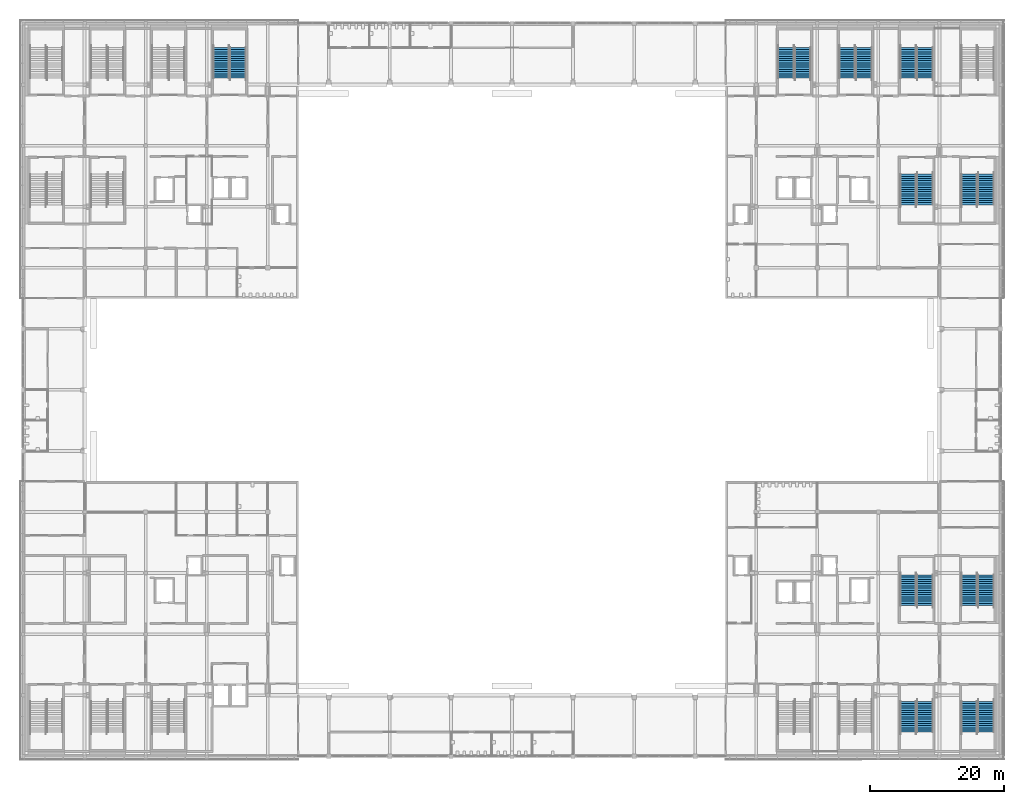
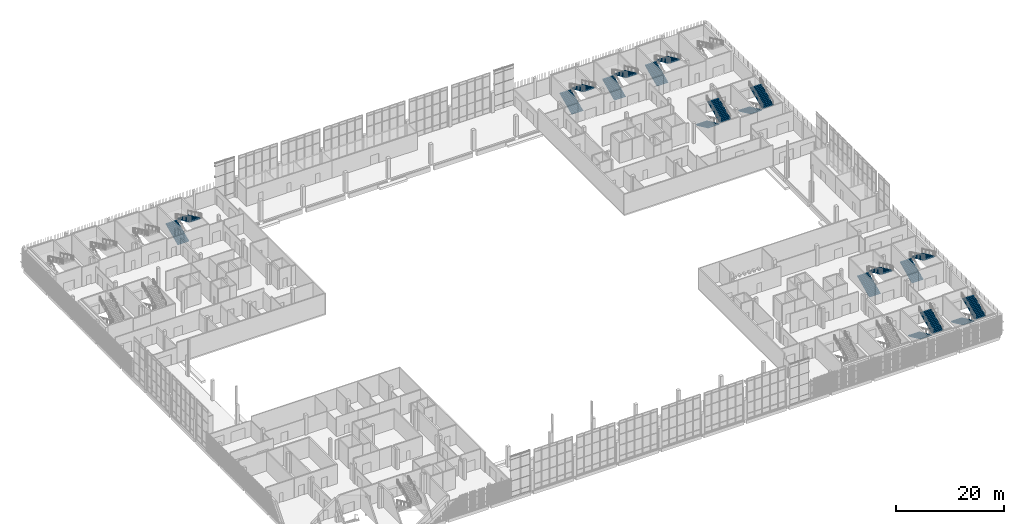
# One storey, part 58 of 91: 20 stair flights, 10 elements without a shape of their own.
"""IFC4 building model written with IfcOpenShell, lengths in metres."""

from ifc_helpers import new_model, si_unit, direction, frame, origin, place, context, subcontext, project, spatial, polyline, outline, extrude, material, type_object, element, aggregate, save


model = new_model("IFC4")

# Units and contexts
model_context = context("Model", 3, precision=1e-05, world=origin(), true_north=direction((0.0, 1.0)))
body_context = subcontext(model_context, "Body", "Model", "MODEL_VIEW")
ifc_project = project(units=[si_unit("LENGTHUNIT", "METRE"), si_unit("AREAUNIT", "SQUARE_METRE"), si_unit("VOLUMEUNIT", "CUBIC_METRE"), si_unit("PLANEANGLEUNIT", "RADIAN"), si_unit("MASSUNIT", "GRAM", prefix="KILO")], contexts=[model_context])

# Site, building, storey
site_placement = place(None, origin())
site = spatial("IfcSite", under=ifc_project, at=site_placement, CompositionType="ELEMENT")
building_placement = place(site_placement, origin())
building = spatial("IfcBuilding", under=site, at=building_placement, Name="Shirokan Park Arena", CompositionType="ELEMENT")
storey_placement = place(building_placement, frame((0.0, 0.0, 24.570068359375)))
storey = spatial("IfcBuildingStorey", under=building, at=storey_placement, Name="L05", CompositionType="ELEMENT", Elevation=24.570068359375)

# Stair, stair flights
ifc_material = material(Name="Concrete C30 precast", Category="concrete")
stair_type = type_object("IfcStairType", Name="Stair 30 risers 152 x 327 2400 wide", PredefinedType="TWO_STRAIGHT_RUN_STAIR", material=ifc_material)
stair_1_placement = place(storey_placement, origin())
stair_1 = element("IfcStair", 1, at=stair_1_placement, inside=storey, type_object=stair_type, Name="Exit Stair 2.A L05 to L06", PredefinedType="TWO_STRAIGHT_RUN_STAIR")
stair_flight_type = type_object("IfcStairFlightType", Name="Stair flight 15 risers 152 x 327 2400 wide", PredefinedType="STRAIGHT", material=ifc_material)
stair_flight_1_placement = place(storey_placement, frame((140.949951171875, 8.14990234375, 0.0), z_axis=(0.0, 0.0, 1.0), x_axis=(0.0, -1.0, 0.0)))
stair_flight_1 = element("IfcStairFlight", 2, at=stair_flight_1_placement, type_object=stair_flight_type, Name="ST04.6 flight 1", NumberOfRisers=15, NumberOfTreads=14, PredefinedType="STRAIGHT", RiserHeight=0.151666667, TreadLength=0.3267, context=body_context, shape_type="SweptSolid", body=[
    extrude(outline(polyline([(0.0, 0.0), (0.0, 0.151611328125), (0.32666015625, 0.151611328125), (0.32666015625, 0.30322265625), (0.6533203125, 0.30322265625), (0.6533203125, 0.455078125), (0.97998046875, 0.455078125), (0.97998046875, 0.606689453125), (1.306884765625, 0.606689453125), (1.306884765625, 0.75830078125), (1.633544921875, 0.75830078125), (1.633544921875, 0.909912109375), (1.960205078125, 0.909912109375), (1.960205078125, 1.061767578125), (2.286865234375, 1.061767578125), (2.286865234375, 1.21337890625), (2.613525390625, 1.21337890625), (2.613525390625, 1.364990234375), (2.940185546875, 1.364990234375), (2.940185546875, 1.5166015625), (3.26708984375, 1.5166015625), (3.26708984375, 1.668212890625), (3.59375, 1.668212890625), (3.59375, 1.820068359375), (3.92041015625, 1.820068359375), (3.92041015625, 1.9716796875), (4.2470703125, 1.9716796875), (4.2470703125, 2.123291015625), (4.57373046875, 2.123291015625), (4.57373046875, 2.27490234375), (4.57373046875, 1.9580078125), (0.35595703125, 0.0), (0.0, 0.0)])), frame((0.0, 1.199951171875, 0.0), z_axis=(0.0, -1.0, 0.0), x_axis=(1.0, 0.0, 0.0)), (0.0, 0.0, 1.0), 2.39990234375),
])
stair_flight_2_placement = place(storey_placement, frame((143.449951171875, 3.576171875, 2.27490234375), z_axis=(0.0, 0.0, 1.0), x_axis=(0.0, 1.0, 0.0)))
stair_flight_2 = element("IfcStairFlight", 3, at=stair_flight_2_placement, type_object=stair_flight_type, Name="ST04.6 flight 2", NumberOfRisers=15, NumberOfTreads=14, PredefinedType="STRAIGHT", RiserHeight=0.151666667, TreadLength=0.3267, context=body_context, shape_type="SweptSolid", body=[
    extrude(outline(polyline([(0.0, 0.0), (0.0, 0.151611328125), (0.32666015625, 0.151611328125), (0.32666015625, 0.30322265625), (0.6533203125, 0.30322265625), (0.6533203125, 0.455078125), (0.97998046875, 0.455078125), (0.97998046875, 0.606689453125), (1.306884765625, 0.606689453125), (1.306884765625, 0.75830078125), (1.633544921875, 0.75830078125), (1.633544921875, 0.909912109375), (1.960205078125, 0.909912109375), (1.960205078125, 1.061767578125), (2.286865234375, 1.061767578125), (2.286865234375, 1.21337890625), (2.613525390625, 1.21337890625), (2.613525390625, 1.364990234375), (2.940185546875, 1.364990234375), (2.940185546875, 1.5166015625), (3.26708984375, 1.5166015625), (3.26708984375, 1.668212890625), (3.59375, 1.668212890625), (3.59375, 1.820068359375), (3.92041015625, 1.820068359375), (3.92041015625, 1.9716796875), (4.2470703125, 1.9716796875), (4.2470703125, 2.123291015625), (4.57373046875, 2.123291015625), (4.57373046875, 2.27490234375), (4.57373046875, 1.9580078125), (0.35595703125, 0.0), (0.0, 0.0)])), frame((0.0, 1.199951171875, 0.0), z_axis=(0.0, -1.0, 0.0), x_axis=(1.0, 0.0, 0.0)), (0.0, 0.0, 1.0), 2.39990234375),
])
aggregate(stair_1, [stair_flight_1, stair_flight_2])

stair_2_placement = place(storey_placement, origin())
stair_2 = element("IfcStair", 4, at=stair_2_placement, inside=storey, type_object=stair_type, Name="Exit Stair 2.B L05 to L06", PredefinedType="TWO_STRAIGHT_RUN_STAIR")
stair_flight_3_placement = place(storey_placement, frame((131.85009765625, 8.14990234375, 0.0), z_axis=(0.0, 0.0, 1.0), x_axis=(0.0, -1.0, 0.0)))
stair_flight_3 = element("IfcStairFlight", 5, at=stair_flight_3_placement, type_object=stair_flight_type, Name="ST05.6 flight 1", NumberOfRisers=15, NumberOfTreads=14, PredefinedType="STRAIGHT", RiserHeight=0.151666667, TreadLength=0.3267, context=body_context, shape_type="SweptSolid", body=[
    extrude(outline(polyline([(0.0, 0.0), (0.0, 0.151611328125), (0.32666015625, 0.151611328125), (0.32666015625, 0.30322265625), (0.6533203125, 0.30322265625), (0.6533203125, 0.455078125), (0.97998046875, 0.455078125), (0.97998046875, 0.606689453125), (1.306884765625, 0.606689453125), (1.306884765625, 0.75830078125), (1.633544921875, 0.75830078125), (1.633544921875, 0.909912109375), (1.960205078125, 0.909912109375), (1.960205078125, 1.061767578125), (2.286865234375, 1.061767578125), (2.286865234375, 1.21337890625), (2.613525390625, 1.21337890625), (2.613525390625, 1.364990234375), (2.940185546875, 1.364990234375), (2.940185546875, 1.5166015625), (3.26708984375, 1.5166015625), (3.26708984375, 1.668212890625), (3.59375, 1.668212890625), (3.59375, 1.820068359375), (3.92041015625, 1.820068359375), (3.92041015625, 1.9716796875), (4.2470703125, 1.9716796875), (4.2470703125, 2.123291015625), (4.57373046875, 2.123291015625), (4.57373046875, 2.27490234375), (4.57373046875, 1.9580078125), (0.35595703125, 0.0), (0.0, 0.0)])), frame((0.0, 1.199951171875, 0.0), z_axis=(0.0, -1.0, 0.0), x_axis=(1.0, 0.0, 0.0)), (0.0, 0.0, 1.0), 2.39990234375),
])
stair_flight_4_placement = place(storey_placement, frame((134.35009765625, 3.576171875, 2.27490234375), z_axis=(0.0, 0.0, 1.0), x_axis=(0.0, 1.0, 0.0)))
stair_flight_4 = element("IfcStairFlight", 6, at=stair_flight_4_placement, type_object=stair_flight_type, Name="ST05.6 flight 2", NumberOfRisers=15, NumberOfTreads=14, PredefinedType="STRAIGHT", RiserHeight=0.151666667, TreadLength=0.3267, context=body_context, shape_type="SweptSolid", body=[
    extrude(outline(polyline([(0.0, 0.0), (0.0, 0.151611328125), (0.32666015625, 0.151611328125), (0.32666015625, 0.30322265625), (0.6533203125, 0.30322265625), (0.6533203125, 0.455078125), (0.97998046875, 0.455078125), (0.97998046875, 0.606689453125), (1.306884765625, 0.606689453125), (1.306884765625, 0.75830078125), (1.633544921875, 0.75830078125), (1.633544921875, 0.909912109375), (1.960205078125, 0.909912109375), (1.960205078125, 1.061767578125), (2.286865234375, 1.061767578125), (2.286865234375, 1.21337890625), (2.613525390625, 1.21337890625), (2.613525390625, 1.364990234375), (2.940185546875, 1.364990234375), (2.940185546875, 1.5166015625), (3.26708984375, 1.5166015625), (3.26708984375, 1.668212890625), (3.59375, 1.668212890625), (3.59375, 1.820068359375), (3.92041015625, 1.820068359375), (3.92041015625, 1.9716796875), (4.2470703125, 1.9716796875), (4.2470703125, 2.123291015625), (4.57373046875, 2.123291015625), (4.57373046875, 2.27490234375), (4.57373046875, 1.9580078125), (0.35595703125, 0.0), (0.0, 0.0)])), frame((0.0, 1.199951171875, 0.0), z_axis=(0.0, -1.0, 0.0), x_axis=(1.0, 0.0, 0.0)), (0.0, 0.0, 1.0), 2.39990234375),
])
aggregate(stair_2, [stair_flight_3, stair_flight_4])

stair_3_placement = place(storey_placement, origin())
stair_3 = element("IfcStair", 7, at=stair_3_placement, inside=storey, type_object=stair_type, Name="Exit Stair 2.E L05 to L06", PredefinedType="TWO_STRAIGHT_RUN_STAIR")
stair_flight_5_placement = place(storey_placement, frame((140.949951171875, 22.449951171875, 0.0), z_axis=(0.0, 0.0, 1.0), x_axis=(0.0, 1.0, 0.0)))
stair_flight_5 = element("IfcStairFlight", 8, at=stair_flight_5_placement, type_object=stair_flight_type, Name="ST08.6 flight 1", NumberOfRisers=15, NumberOfTreads=14, PredefinedType="STRAIGHT", RiserHeight=0.151666667, TreadLength=0.3267, context=body_context, shape_type="SweptSolid", body=[
    extrude(outline(polyline([(0.0, 0.0), (0.0, 0.151611328125), (0.32666015625, 0.151611328125), (0.32666015625, 0.30322265625), (0.6533203125, 0.30322265625), (0.6533203125, 0.455078125), (0.97998046875, 0.455078125), (0.97998046875, 0.606689453125), (1.306884765625, 0.606689453125), (1.306884765625, 0.75830078125), (1.633544921875, 0.75830078125), (1.633544921875, 0.909912109375), (1.960205078125, 0.909912109375), (1.960205078125, 1.061767578125), (2.286865234375, 1.061767578125), (2.286865234375, 1.21337890625), (2.613525390625, 1.21337890625), (2.613525390625, 1.364990234375), (2.940185546875, 1.364990234375), (2.940185546875, 1.5166015625), (3.26708984375, 1.5166015625), (3.26708984375, 1.668212890625), (3.59375, 1.668212890625), (3.59375, 1.820068359375), (3.92041015625, 1.820068359375), (3.92041015625, 1.9716796875), (4.2470703125, 1.9716796875), (4.2470703125, 2.123291015625), (4.57373046875, 2.123291015625), (4.57373046875, 2.27490234375), (4.57373046875, 1.9580078125), (0.35595703125, 0.0), (0.0, 0.0)])), frame((0.0, 1.199951171875, 0.0), z_axis=(0.0, -1.0, 0.0), x_axis=(1.0, 0.0, 0.0)), (0.0, 0.0, 1.0), 2.39990234375),
])
stair_flight_6_placement = place(storey_placement, frame((143.449951171875, 27.023681640625, 2.27490234375), z_axis=(0.0, 0.0, 1.0), x_axis=(0.0, -1.0, 0.0)))
stair_flight_6 = element("IfcStairFlight", 9, at=stair_flight_6_placement, type_object=stair_flight_type, Name="ST08.6 flight 2", NumberOfRisers=15, NumberOfTreads=14, PredefinedType="STRAIGHT", RiserHeight=0.151666667, TreadLength=0.3267, context=body_context, shape_type="SweptSolid", body=[
    extrude(outline(polyline([(0.0, 0.0), (0.0, 0.151611328125), (0.32666015625, 0.151611328125), (0.32666015625, 0.30322265625), (0.6533203125, 0.30322265625), (0.6533203125, 0.455078125), (0.97998046875, 0.455078125), (0.97998046875, 0.606689453125), (1.306884765625, 0.606689453125), (1.306884765625, 0.75830078125), (1.633544921875, 0.75830078125), (1.633544921875, 0.909912109375), (1.960205078125, 0.909912109375), (1.960205078125, 1.061767578125), (2.286865234375, 1.061767578125), (2.286865234375, 1.21337890625), (2.613525390625, 1.21337890625), (2.613525390625, 1.364990234375), (2.940185546875, 1.364990234375), (2.940185546875, 1.5166015625), (3.26708984375, 1.5166015625), (3.26708984375, 1.668212890625), (3.59375, 1.668212890625), (3.59375, 1.820068359375), (3.92041015625, 1.820068359375), (3.92041015625, 1.9716796875), (4.2470703125, 1.9716796875), (4.2470703125, 2.123291015625), (4.57373046875, 2.123291015625), (4.57373046875, 2.27490234375), (4.57373046875, 1.9580078125), (0.35595703125, 0.0), (0.0, 0.0)])), frame((0.0, 1.199951171875, 0.0), z_axis=(0.0, -1.0, 0.0), x_axis=(1.0, 0.0, 0.0)), (0.0, 0.0, 1.0), 2.39990234375),
])
aggregate(stair_3, [stair_flight_5, stair_flight_6])

stair_4_placement = place(storey_placement, origin())
stair_4 = element("IfcStair", 10, at=stair_4_placement, inside=storey, type_object=stair_type, Name="Exit Stair 2.F L05 to L06", PredefinedType="TWO_STRAIGHT_RUN_STAIR")
stair_flight_7_placement = place(storey_placement, frame((131.85009765625, 22.449951171875, 0.0), z_axis=(0.0, 0.0, 1.0), x_axis=(0.0, 1.0, 0.0)))
stair_flight_7 = element("IfcStairFlight", 11, at=stair_flight_7_placement, type_object=stair_flight_type, Name="ST09.6 flight 1", NumberOfRisers=15, NumberOfTreads=14, PredefinedType="STRAIGHT", RiserHeight=0.151666667, TreadLength=0.3267, context=body_context, shape_type="SweptSolid", body=[
    extrude(outline(polyline([(0.0, 0.0), (0.0, 0.151611328125), (0.32666015625, 0.151611328125), (0.32666015625, 0.30322265625), (0.6533203125, 0.30322265625), (0.6533203125, 0.455078125), (0.97998046875, 0.455078125), (0.97998046875, 0.606689453125), (1.306884765625, 0.606689453125), (1.306884765625, 0.75830078125), (1.633544921875, 0.75830078125), (1.633544921875, 0.909912109375), (1.960205078125, 0.909912109375), (1.960205078125, 1.061767578125), (2.286865234375, 1.061767578125), (2.286865234375, 1.21337890625), (2.613525390625, 1.21337890625), (2.613525390625, 1.364990234375), (2.940185546875, 1.364990234375), (2.940185546875, 1.5166015625), (3.26708984375, 1.5166015625), (3.26708984375, 1.668212890625), (3.59375, 1.668212890625), (3.59375, 1.820068359375), (3.92041015625, 1.820068359375), (3.92041015625, 1.9716796875), (4.2470703125, 1.9716796875), (4.2470703125, 2.123291015625), (4.57373046875, 2.123291015625), (4.57373046875, 2.27490234375), (4.57373046875, 1.9580078125), (0.35595703125, 0.0), (0.0, 0.0)])), frame((0.0, 1.199951171875, 0.0), z_axis=(0.0, -1.0, 0.0), x_axis=(1.0, 0.0, 0.0)), (0.0, 0.0, 1.0), 2.39990234375),
])
stair_flight_8_placement = place(storey_placement, frame((134.35009765625, 27.023681640625, 2.27490234375), z_axis=(0.0, 0.0, 1.0), x_axis=(0.0, -1.0, 0.0)))
stair_flight_8 = element("IfcStairFlight", 12, at=stair_flight_8_placement, type_object=stair_flight_type, Name="ST09.6 flight 2", NumberOfRisers=15, NumberOfTreads=14, PredefinedType="STRAIGHT", RiserHeight=0.151666667, TreadLength=0.3267, context=body_context, shape_type="SweptSolid", body=[
    extrude(outline(polyline([(0.0, 0.0), (0.0, 0.151611328125), (0.32666015625, 0.151611328125), (0.32666015625, 0.30322265625), (0.6533203125, 0.30322265625), (0.6533203125, 0.455078125), (0.97998046875, 0.455078125), (0.97998046875, 0.606689453125), (1.306884765625, 0.606689453125), (1.306884765625, 0.75830078125), (1.633544921875, 0.75830078125), (1.633544921875, 0.909912109375), (1.960205078125, 0.909912109375), (1.960205078125, 1.061767578125), (2.286865234375, 1.061767578125), (2.286865234375, 1.21337890625), (2.613525390625, 1.21337890625), (2.613525390625, 1.364990234375), (2.940185546875, 1.364990234375), (2.940185546875, 1.5166015625), (3.26708984375, 1.5166015625), (3.26708984375, 1.668212890625), (3.59375, 1.668212890625), (3.59375, 1.820068359375), (3.92041015625, 1.820068359375), (3.92041015625, 1.9716796875), (4.2470703125, 1.9716796875), (4.2470703125, 2.123291015625), (4.57373046875, 2.123291015625), (4.57373046875, 2.27490234375), (4.57373046875, 1.9580078125), (0.35595703125, 0.0), (0.0, 0.0)])), frame((0.0, 1.199951171875, 0.0), z_axis=(0.0, -1.0, 0.0), x_axis=(1.0, 0.0, 0.0)), (0.0, 0.0, 1.0), 2.39990234375),
])
aggregate(stair_4, [stair_flight_7, stair_flight_8])

stair_5_placement = place(storey_placement, origin())
stair_5 = element("IfcStair", 13, at=stair_5_placement, inside=storey, type_object=stair_type, Name="Exit Stair 4.D L05 to L06", PredefinedType="TWO_STRAIGHT_RUN_STAIR")
stair_flight_9_placement = place(storey_placement, frame((29.449951171875, 101.050048828125, 0.0), z_axis=(0.0, 0.0, 1.0), x_axis=(0.0, 1.0, 0.0)))
stair_flight_9 = element("IfcStairFlight", 14, at=stair_flight_9_placement, type_object=stair_flight_type, Name="ST13.6 flight 1", NumberOfRisers=15, NumberOfTreads=14, PredefinedType="STRAIGHT", RiserHeight=0.151666667, TreadLength=0.3267, context=body_context, shape_type="SweptSolid", body=[
    extrude(outline(polyline([(0.0, 0.0), (0.0, 0.151611328125), (0.32666015625, 0.151611328125), (0.32666015625, 0.30322265625), (0.6533203125, 0.30322265625), (0.6533203125, 0.455078125), (0.97998046875, 0.455078125), (0.97998046875, 0.606689453125), (1.306884765625, 0.606689453125), (1.306884765625, 0.75830078125), (1.633544921875, 0.75830078125), (1.633544921875, 0.909912109375), (1.960205078125, 0.909912109375), (1.960205078125, 1.061767578125), (2.286865234375, 1.061767578125), (2.286865234375, 1.21337890625), (2.613525390625, 1.21337890625), (2.613525390625, 1.364990234375), (2.940185546875, 1.364990234375), (2.940185546875, 1.5166015625), (3.26708984375, 1.5166015625), (3.26708984375, 1.668212890625), (3.59375, 1.668212890625), (3.59375, 1.820068359375), (3.92041015625, 1.820068359375), (3.92041015625, 1.9716796875), (4.2470703125, 1.9716796875), (4.2470703125, 2.123291015625), (4.57373046875, 2.123291015625), (4.57373046875, 2.27490234375), (4.57373046875, 1.9580078125), (0.35595703125, 0.0), (0.0, 0.0)])), frame((0.0, 1.199951171875, 0.0), z_axis=(0.0, -1.0, 0.0), x_axis=(1.0, 0.0, 0.0)), (0.0, 0.0, 1.0), 2.39990234375),
])
stair_flight_10_placement = place(storey_placement, frame((31.949951171875, 105.623779296875, 2.27490234375), z_axis=(0.0, 0.0, 1.0), x_axis=(0.0, -1.0, 0.0)))
stair_flight_10 = element("IfcStairFlight", 15, at=stair_flight_10_placement, type_object=stair_flight_type, Name="ST13.6 flight 2", NumberOfRisers=15, NumberOfTreads=14, PredefinedType="STRAIGHT", RiserHeight=0.151666667, TreadLength=0.3267, context=body_context, shape_type="SweptSolid", body=[
    extrude(outline(polyline([(0.0, 0.0), (0.0, 0.151611328125), (0.32666015625, 0.151611328125), (0.32666015625, 0.30322265625), (0.6533203125, 0.30322265625), (0.6533203125, 0.455078125), (0.97998046875, 0.455078125), (0.97998046875, 0.606689453125), (1.306884765625, 0.606689453125), (1.306884765625, 0.75830078125), (1.633544921875, 0.75830078125), (1.633544921875, 0.909912109375), (1.960205078125, 0.909912109375), (1.960205078125, 1.061767578125), (2.286865234375, 1.061767578125), (2.286865234375, 1.21337890625), (2.613525390625, 1.21337890625), (2.613525390625, 1.364990234375), (2.940185546875, 1.364990234375), (2.940185546875, 1.5166015625), (3.26708984375, 1.5166015625), (3.26708984375, 1.668212890625), (3.59375, 1.668212890625), (3.59375, 1.820068359375), (3.92041015625, 1.820068359375), (3.92041015625, 1.9716796875), (4.2470703125, 1.9716796875), (4.2470703125, 2.123291015625), (4.57373046875, 2.123291015625), (4.57373046875, 2.27490234375), (4.57373046875, 1.9580078125), (0.35595703125, 0.0), (0.0, 0.0)])), frame((0.0, 1.199951171875, 0.0), z_axis=(0.0, -1.0, 0.0), x_axis=(1.0, 0.0, 0.0)), (0.0, 0.0, 1.0), 2.39990234375),
])
aggregate(stair_5, [stair_flight_9, stair_flight_10])

stair_6_placement = place(storey_placement, origin())
stair_6 = element("IfcStair", 16, at=stair_6_placement, inside=storey, type_object=stair_type, Name="Exit Stair 3.B L05 to L06", PredefinedType="TWO_STRAIGHT_RUN_STAIR")
stair_flight_11_placement = place(storey_placement, frame((131.85009765625, 101.050048828125, 0.0), z_axis=(0.0, 0.0, 1.0), x_axis=(0.0, 1.0, 0.0)))
stair_flight_11 = element("IfcStairFlight", 17, at=stair_flight_11_placement, type_object=stair_flight_type, Name="ST17.6 flight 1", NumberOfRisers=15, NumberOfTreads=14, PredefinedType="STRAIGHT", RiserHeight=0.151666667, TreadLength=0.3267, context=body_context, shape_type="SweptSolid", body=[
    extrude(outline(polyline([(0.0, 0.0), (0.0, 0.151611328125), (0.32666015625, 0.151611328125), (0.32666015625, 0.30322265625), (0.6533203125, 0.30322265625), (0.6533203125, 0.455078125), (0.97998046875, 0.455078125), (0.97998046875, 0.606689453125), (1.306884765625, 0.606689453125), (1.306884765625, 0.75830078125), (1.633544921875, 0.75830078125), (1.633544921875, 0.909912109375), (1.960205078125, 0.909912109375), (1.960205078125, 1.061767578125), (2.286865234375, 1.061767578125), (2.286865234375, 1.21337890625), (2.613525390625, 1.21337890625), (2.613525390625, 1.364990234375), (2.940185546875, 1.364990234375), (2.940185546875, 1.5166015625), (3.26708984375, 1.5166015625), (3.26708984375, 1.668212890625), (3.59375, 1.668212890625), (3.59375, 1.820068359375), (3.92041015625, 1.820068359375), (3.92041015625, 1.9716796875), (4.2470703125, 1.9716796875), (4.2470703125, 2.123291015625), (4.57373046875, 2.123291015625), (4.57373046875, 2.27490234375), (4.57373046875, 1.9580078125), (0.35595703125, 0.0), (0.0, 0.0)])), frame((0.0, 1.199951171875, 0.0), z_axis=(0.0, -1.0, 0.0), x_axis=(1.0, 0.0, 0.0)), (0.0, 0.0, 1.0), 2.39990234375),
])
stair_flight_12_placement = place(storey_placement, frame((134.35009765625, 105.623779296875, 2.27490234375), z_axis=(0.0, 0.0, 1.0), x_axis=(0.0, -1.0, 0.0)))
stair_flight_12 = element("IfcStairFlight", 18, at=stair_flight_12_placement, type_object=stair_flight_type, Name="ST17.6 flight 2", NumberOfRisers=15, NumberOfTreads=14, PredefinedType="STRAIGHT", RiserHeight=0.151666667, TreadLength=0.3267, context=body_context, shape_type="SweptSolid", body=[
    extrude(outline(polyline([(0.0, 0.0), (0.0, 0.151611328125), (0.32666015625, 0.151611328125), (0.32666015625, 0.30322265625), (0.6533203125, 0.30322265625), (0.6533203125, 0.455078125), (0.97998046875, 0.455078125), (0.97998046875, 0.606689453125), (1.306884765625, 0.606689453125), (1.306884765625, 0.75830078125), (1.633544921875, 0.75830078125), (1.633544921875, 0.909912109375), (1.960205078125, 0.909912109375), (1.960205078125, 1.061767578125), (2.286865234375, 1.061767578125), (2.286865234375, 1.21337890625), (2.613525390625, 1.21337890625), (2.613525390625, 1.364990234375), (2.940185546875, 1.364990234375), (2.940185546875, 1.5166015625), (3.26708984375, 1.5166015625), (3.26708984375, 1.668212890625), (3.59375, 1.668212890625), (3.59375, 1.820068359375), (3.92041015625, 1.820068359375), (3.92041015625, 1.9716796875), (4.2470703125, 1.9716796875), (4.2470703125, 2.123291015625), (4.57373046875, 2.123291015625), (4.57373046875, 2.27490234375), (4.57373046875, 1.9580078125), (0.35595703125, 0.0), (0.0, 0.0)])), frame((0.0, 1.199951171875, 0.0), z_axis=(0.0, -1.0, 0.0), x_axis=(1.0, 0.0, 0.0)), (0.0, 0.0, 1.0), 2.39990234375),
])
aggregate(stair_6, [stair_flight_11, stair_flight_12])

stair_7_placement = place(storey_placement, origin())
stair_7 = element("IfcStair", 19, at=stair_7_placement, inside=storey, type_object=stair_type, Name="Exit Stair 3.C L05 to L06", PredefinedType="TWO_STRAIGHT_RUN_STAIR")
stair_flight_13_placement = place(storey_placement, frame((122.75, 101.050048828125, 0.0), z_axis=(0.0, 0.0, 1.0), x_axis=(0.0, 1.0, 0.0)))
stair_flight_13 = element("IfcStairFlight", 20, at=stair_flight_13_placement, type_object=stair_flight_type, Name="ST18.6 flight 1", NumberOfRisers=15, NumberOfTreads=14, PredefinedType="STRAIGHT", RiserHeight=0.151666667, TreadLength=0.3267, context=body_context, shape_type="SweptSolid", body=[
    extrude(outline(polyline([(0.0, 0.0), (0.0, 0.151611328125), (0.32666015625, 0.151611328125), (0.32666015625, 0.30322265625), (0.6533203125, 0.30322265625), (0.6533203125, 0.455078125), (0.97998046875, 0.455078125), (0.97998046875, 0.606689453125), (1.306884765625, 0.606689453125), (1.306884765625, 0.75830078125), (1.633544921875, 0.75830078125), (1.633544921875, 0.909912109375), (1.960205078125, 0.909912109375), (1.960205078125, 1.061767578125), (2.286865234375, 1.061767578125), (2.286865234375, 1.21337890625), (2.613525390625, 1.21337890625), (2.613525390625, 1.364990234375), (2.940185546875, 1.364990234375), (2.940185546875, 1.5166015625), (3.26708984375, 1.5166015625), (3.26708984375, 1.668212890625), (3.59375, 1.668212890625), (3.59375, 1.820068359375), (3.92041015625, 1.820068359375), (3.92041015625, 1.9716796875), (4.2470703125, 1.9716796875), (4.2470703125, 2.123291015625), (4.57373046875, 2.123291015625), (4.57373046875, 2.27490234375), (4.57373046875, 1.9580078125), (0.35595703125, 0.0), (0.0, 0.0)])), frame((0.0, 1.199951171875, 0.0), z_axis=(0.0, -1.0, 0.0), x_axis=(1.0, 0.0, 0.0)), (0.0, 0.0, 1.0), 2.39990234375),
])
stair_flight_14_placement = place(storey_placement, frame((125.25, 105.623779296875, 2.27490234375), z_axis=(0.0, 0.0, 1.0), x_axis=(0.0, -1.0, 0.0)))
stair_flight_14 = element("IfcStairFlight", 21, at=stair_flight_14_placement, type_object=stair_flight_type, Name="ST18.6 flight 2", NumberOfRisers=15, NumberOfTreads=14, PredefinedType="STRAIGHT", RiserHeight=0.151666667, TreadLength=0.3267, context=body_context, shape_type="SweptSolid", body=[
    extrude(outline(polyline([(0.0, 0.0), (0.0, 0.151611328125), (0.32666015625, 0.151611328125), (0.32666015625, 0.30322265625), (0.6533203125, 0.30322265625), (0.6533203125, 0.455078125), (0.97998046875, 0.455078125), (0.97998046875, 0.606689453125), (1.306884765625, 0.606689453125), (1.306884765625, 0.75830078125), (1.633544921875, 0.75830078125), (1.633544921875, 0.909912109375), (1.960205078125, 0.909912109375), (1.960205078125, 1.061767578125), (2.286865234375, 1.061767578125), (2.286865234375, 1.21337890625), (2.613525390625, 1.21337890625), (2.613525390625, 1.364990234375), (2.940185546875, 1.364990234375), (2.940185546875, 1.5166015625), (3.26708984375, 1.5166015625), (3.26708984375, 1.668212890625), (3.59375, 1.668212890625), (3.59375, 1.820068359375), (3.92041015625, 1.820068359375), (3.92041015625, 1.9716796875), (4.2470703125, 1.9716796875), (4.2470703125, 2.123291015625), (4.57373046875, 2.123291015625), (4.57373046875, 2.27490234375), (4.57373046875, 1.9580078125), (0.35595703125, 0.0), (0.0, 0.0)])), frame((0.0, 1.199951171875, 0.0), z_axis=(0.0, -1.0, 0.0), x_axis=(1.0, 0.0, 0.0)), (0.0, 0.0, 1.0), 2.39990234375),
])
aggregate(stair_7, [stair_flight_13, stair_flight_14])

stair_8_placement = place(storey_placement, origin())
stair_8 = element("IfcStair", 22, at=stair_8_placement, inside=storey, type_object=stair_type, Name="Exit Stair 3.D L05 to L06", PredefinedType="TWO_STRAIGHT_RUN_STAIR")
stair_flight_15_placement = place(storey_placement, frame((113.64990234375, 101.050048828125, 0.0), z_axis=(0.0, 0.0, 1.0), x_axis=(0.0, 1.0, 0.0)))
stair_flight_15 = element("IfcStairFlight", 23, at=stair_flight_15_placement, type_object=stair_flight_type, Name="ST19.6 flight 1", NumberOfRisers=15, NumberOfTreads=14, PredefinedType="STRAIGHT", RiserHeight=0.151666667, TreadLength=0.3267, context=body_context, shape_type="SweptSolid", body=[
    extrude(outline(polyline([(0.0, 0.0), (0.0, 0.151611328125), (0.32666015625, 0.151611328125), (0.32666015625, 0.30322265625), (0.6533203125, 0.30322265625), (0.6533203125, 0.455078125), (0.97998046875, 0.455078125), (0.97998046875, 0.606689453125), (1.306884765625, 0.606689453125), (1.306884765625, 0.75830078125), (1.633544921875, 0.75830078125), (1.633544921875, 0.909912109375), (1.960205078125, 0.909912109375), (1.960205078125, 1.061767578125), (2.286865234375, 1.061767578125), (2.286865234375, 1.21337890625), (2.613525390625, 1.21337890625), (2.613525390625, 1.364990234375), (2.940185546875, 1.364990234375), (2.940185546875, 1.5166015625), (3.26708984375, 1.5166015625), (3.26708984375, 1.668212890625), (3.59375, 1.668212890625), (3.59375, 1.820068359375), (3.92041015625, 1.820068359375), (3.92041015625, 1.9716796875), (4.2470703125, 1.9716796875), (4.2470703125, 2.123291015625), (4.57373046875, 2.123291015625), (4.57373046875, 2.27490234375), (4.57373046875, 1.9580078125), (0.35595703125, 0.0), (0.0, 0.0)])), frame((0.0, 1.199951171875, 0.0), z_axis=(0.0, -1.0, 0.0), x_axis=(1.0, 0.0, 0.0)), (0.0, 0.0, 1.0), 2.39990234375),
])
stair_flight_16_placement = place(storey_placement, frame((116.14990234375, 105.623779296875, 2.27490234375), z_axis=(0.0, 0.0, 1.0), x_axis=(0.0, -1.0, 0.0)))
stair_flight_16 = element("IfcStairFlight", 24, at=stair_flight_16_placement, type_object=stair_flight_type, Name="ST19.6 flight 2", NumberOfRisers=15, NumberOfTreads=14, PredefinedType="STRAIGHT", RiserHeight=0.151666667, TreadLength=0.3267, context=body_context, shape_type="SweptSolid", body=[
    extrude(outline(polyline([(0.0, 0.0), (0.0, 0.151611328125), (0.32666015625, 0.151611328125), (0.32666015625, 0.30322265625), (0.6533203125, 0.30322265625), (0.6533203125, 0.455078125), (0.97998046875, 0.455078125), (0.97998046875, 0.606689453125), (1.306884765625, 0.606689453125), (1.306884765625, 0.75830078125), (1.633544921875, 0.75830078125), (1.633544921875, 0.909912109375), (1.960205078125, 0.909912109375), (1.960205078125, 1.061767578125), (2.286865234375, 1.061767578125), (2.286865234375, 1.21337890625), (2.613525390625, 1.21337890625), (2.613525390625, 1.364990234375), (2.940185546875, 1.364990234375), (2.940185546875, 1.5166015625), (3.26708984375, 1.5166015625), (3.26708984375, 1.668212890625), (3.59375, 1.668212890625), (3.59375, 1.820068359375), (3.92041015625, 1.820068359375), (3.92041015625, 1.9716796875), (4.2470703125, 1.9716796875), (4.2470703125, 2.123291015625), (4.57373046875, 2.123291015625), (4.57373046875, 2.27490234375), (4.57373046875, 1.9580078125), (0.35595703125, 0.0), (0.0, 0.0)])), frame((0.0, 1.199951171875, 0.0), z_axis=(0.0, -1.0, 0.0), x_axis=(1.0, 0.0, 0.0)), (0.0, 0.0, 1.0), 2.39990234375),
])
aggregate(stair_8, [stair_flight_15, stair_flight_16])

stair_9_placement = place(storey_placement, origin())
stair_9 = element("IfcStair", 25, at=stair_9_placement, inside=storey, type_object=stair_type, Name="Exit Stair 3.E L05 to L06", PredefinedType="TWO_STRAIGHT_RUN_STAIR")
stair_flight_17_placement = place(storey_placement, frame((140.949951171875, 86.75, 0.0), z_axis=(0.0, 0.0, 1.0), x_axis=(0.0, -1.0, 0.0)))
stair_flight_17 = element("IfcStairFlight", 26, at=stair_flight_17_placement, type_object=stair_flight_type, Name="ST20.6 flight 1", NumberOfRisers=15, NumberOfTreads=14, PredefinedType="STRAIGHT", RiserHeight=0.151666667, TreadLength=0.3267, context=body_context, shape_type="SweptSolid", body=[
    extrude(outline(polyline([(0.0, 0.0), (0.0, 0.151611328125), (0.32666015625, 0.151611328125), (0.32666015625, 0.30322265625), (0.6533203125, 0.30322265625), (0.6533203125, 0.455078125), (0.97998046875, 0.455078125), (0.97998046875, 0.606689453125), (1.306884765625, 0.606689453125), (1.306884765625, 0.75830078125), (1.633544921875, 0.75830078125), (1.633544921875, 0.909912109375), (1.960205078125, 0.909912109375), (1.960205078125, 1.061767578125), (2.286865234375, 1.061767578125), (2.286865234375, 1.21337890625), (2.613525390625, 1.21337890625), (2.613525390625, 1.364990234375), (2.940185546875, 1.364990234375), (2.940185546875, 1.5166015625), (3.26708984375, 1.5166015625), (3.26708984375, 1.668212890625), (3.59375, 1.668212890625), (3.59375, 1.820068359375), (3.92041015625, 1.820068359375), (3.92041015625, 1.9716796875), (4.2470703125, 1.9716796875), (4.2470703125, 2.123291015625), (4.57373046875, 2.123291015625), (4.57373046875, 2.27490234375), (4.57373046875, 1.9580078125), (0.35595703125, 0.0), (0.0, 0.0)])), frame((0.0, 1.199951171875, 0.0), z_axis=(0.0, -1.0, 0.0), x_axis=(1.0, 0.0, 0.0)), (0.0, 0.0, 1.0), 2.39990234375),
])
stair_flight_18_placement = place(storey_placement, frame((143.449951171875, 82.17626953125, 2.27490234375), z_axis=(0.0, 0.0, 1.0), x_axis=(0.0, 1.0, 0.0)))
stair_flight_18 = element("IfcStairFlight", 27, at=stair_flight_18_placement, type_object=stair_flight_type, Name="ST20.6 flight 2", NumberOfRisers=15, NumberOfTreads=14, PredefinedType="STRAIGHT", RiserHeight=0.151666667, TreadLength=0.3267, context=body_context, shape_type="SweptSolid", body=[
    extrude(outline(polyline([(0.0, 0.0), (0.0, 0.151611328125), (0.32666015625, 0.151611328125), (0.32666015625, 0.30322265625), (0.6533203125, 0.30322265625), (0.6533203125, 0.455078125), (0.97998046875, 0.455078125), (0.97998046875, 0.606689453125), (1.306884765625, 0.606689453125), (1.306884765625, 0.75830078125), (1.633544921875, 0.75830078125), (1.633544921875, 0.909912109375), (1.960205078125, 0.909912109375), (1.960205078125, 1.061767578125), (2.286865234375, 1.061767578125), (2.286865234375, 1.21337890625), (2.613525390625, 1.21337890625), (2.613525390625, 1.364990234375), (2.940185546875, 1.364990234375), (2.940185546875, 1.5166015625), (3.26708984375, 1.5166015625), (3.26708984375, 1.668212890625), (3.59375, 1.668212890625), (3.59375, 1.820068359375), (3.92041015625, 1.820068359375), (3.92041015625, 1.9716796875), (4.2470703125, 1.9716796875), (4.2470703125, 2.123291015625), (4.57373046875, 2.123291015625), (4.57373046875, 2.27490234375), (4.57373046875, 1.9580078125), (0.35595703125, 0.0), (0.0, 0.0)])), frame((0.0, 1.199951171875, 0.0), z_axis=(0.0, -1.0, 0.0), x_axis=(1.0, 0.0, 0.0)), (0.0, 0.0, 1.0), 2.39990234375),
])
aggregate(stair_9, [stair_flight_17, stair_flight_18])

stair_10_placement = place(storey_placement, origin())
stair_10 = element("IfcStair", 28, at=stair_10_placement, inside=storey, type_object=stair_type, Name="Exit Stair 3.F L05 to L06", PredefinedType="TWO_STRAIGHT_RUN_STAIR")
stair_flight_19_placement = place(storey_placement, frame((131.85009765625, 86.75, 0.0), z_axis=(0.0, 0.0, 1.0), x_axis=(0.0, -1.0, 0.0)))
stair_flight_19 = element("IfcStairFlight", 29, at=stair_flight_19_placement, type_object=stair_flight_type, Name="ST21.6 flight 1", NumberOfRisers=15, NumberOfTreads=14, PredefinedType="STRAIGHT", RiserHeight=0.151666667, TreadLength=0.3267, context=body_context, shape_type="SweptSolid", body=[
    extrude(outline(polyline([(0.0, 0.0), (0.0, 0.151611328125), (0.32666015625, 0.151611328125), (0.32666015625, 0.30322265625), (0.6533203125, 0.30322265625), (0.6533203125, 0.455078125), (0.97998046875, 0.455078125), (0.97998046875, 0.606689453125), (1.306884765625, 0.606689453125), (1.306884765625, 0.75830078125), (1.633544921875, 0.75830078125), (1.633544921875, 0.909912109375), (1.960205078125, 0.909912109375), (1.960205078125, 1.061767578125), (2.286865234375, 1.061767578125), (2.286865234375, 1.21337890625), (2.613525390625, 1.21337890625), (2.613525390625, 1.364990234375), (2.940185546875, 1.364990234375), (2.940185546875, 1.5166015625), (3.26708984375, 1.5166015625), (3.26708984375, 1.668212890625), (3.59375, 1.668212890625), (3.59375, 1.820068359375), (3.92041015625, 1.820068359375), (3.92041015625, 1.9716796875), (4.2470703125, 1.9716796875), (4.2470703125, 2.123291015625), (4.57373046875, 2.123291015625), (4.57373046875, 2.27490234375), (4.57373046875, 1.9580078125), (0.35595703125, 0.0), (0.0, 0.0)])), frame((0.0, 1.199951171875, 0.0), z_axis=(0.0, -1.0, 0.0), x_axis=(1.0, 0.0, 0.0)), (0.0, 0.0, 1.0), 2.39990234375),
])
stair_flight_20_placement = place(storey_placement, frame((134.35009765625, 82.17626953125, 2.27490234375), z_axis=(0.0, 0.0, 1.0), x_axis=(0.0, 1.0, 0.0)))
stair_flight_20 = element("IfcStairFlight", 30, at=stair_flight_20_placement, type_object=stair_flight_type, Name="ST21.6 flight 2", NumberOfRisers=15, NumberOfTreads=14, PredefinedType="STRAIGHT", RiserHeight=0.151666667, TreadLength=0.3267, context=body_context, shape_type="SweptSolid", body=[
    extrude(outline(polyline([(0.0, 0.0), (0.0, 0.151611328125), (0.32666015625, 0.151611328125), (0.32666015625, 0.30322265625), (0.6533203125, 0.30322265625), (0.6533203125, 0.455078125), (0.97998046875, 0.455078125), (0.97998046875, 0.606689453125), (1.306884765625, 0.606689453125), (1.306884765625, 0.75830078125), (1.633544921875, 0.75830078125), (1.633544921875, 0.909912109375), (1.960205078125, 0.909912109375), (1.960205078125, 1.061767578125), (2.286865234375, 1.061767578125), (2.286865234375, 1.21337890625), (2.613525390625, 1.21337890625), (2.613525390625, 1.364990234375), (2.940185546875, 1.364990234375), (2.940185546875, 1.5166015625), (3.26708984375, 1.5166015625), (3.26708984375, 1.668212890625), (3.59375, 1.668212890625), (3.59375, 1.820068359375), (3.92041015625, 1.820068359375), (3.92041015625, 1.9716796875), (4.2470703125, 1.9716796875), (4.2470703125, 2.123291015625), (4.57373046875, 2.123291015625), (4.57373046875, 2.27490234375), (4.57373046875, 1.9580078125), (0.35595703125, 0.0), (0.0, 0.0)])), frame((0.0, 1.199951171875, 0.0), z_axis=(0.0, -1.0, 0.0), x_axis=(1.0, 0.0, 0.0)), (0.0, 0.0, 1.0), 2.39990234375),
])
aggregate(stair_10, [stair_flight_19, stair_flight_20])

save(model, "model.ifc")
